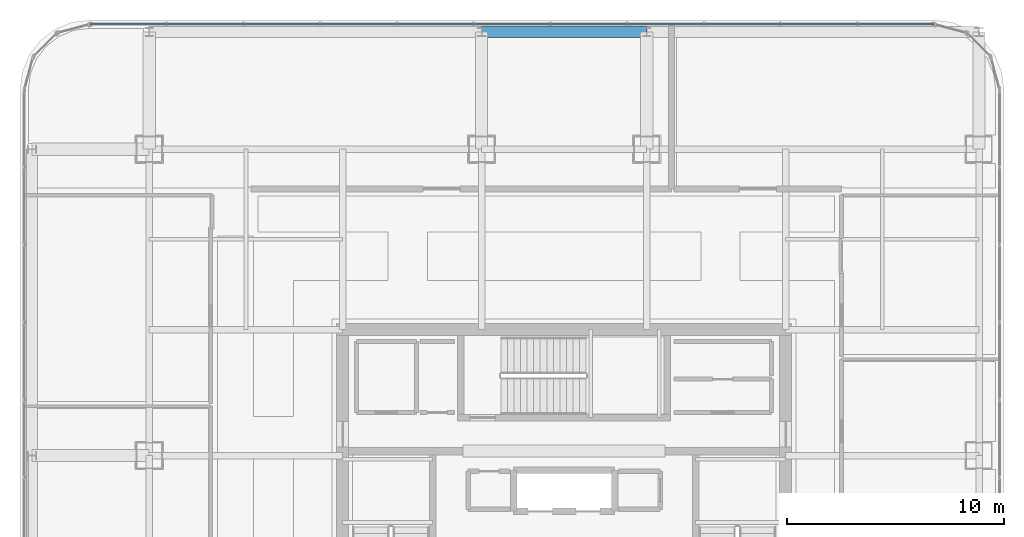
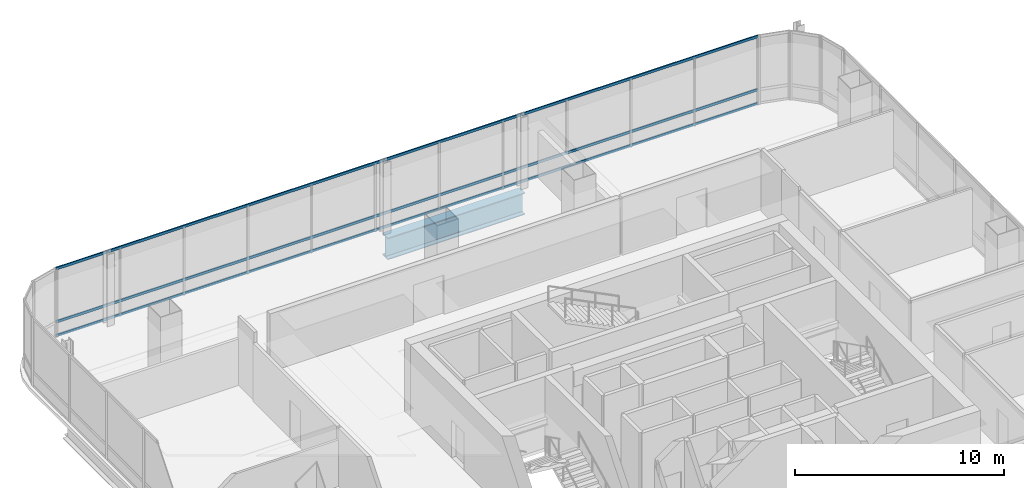
# One storey, part 26 of 42: 3 members, 1 beam, 1 element without a shape of its own.
"""IFC4 building model written with IfcOpenShell, lengths in metres."""

import ifcopenshell
import ifcopenshell.guid

model = None  # the IFC model being written
_history = None  # IfcOwnerHistory: only IFC2X3 demands one
_inside = {}  # id of a spatial element -> (the spatial element, [elements in it])
_under = {}  # id of a project, library or spatial element -> (it, [spatial elements below it])
_declared = {}  # id of a project -> (the project, [libraries it declares])
_typed = {}  # id of a type object -> (the type object, [elements of that type])
_made_of = {}  # id of a material, layer set ... -> (it, [elements and type objects made of it])


def new_model(schema):
    """Start an empty IFC model of exactly this schema.

    Asked for "IFC4X3", IfcOpenShell would pick the latest addendum, in which some entities
    have other attributes; the version numbers below select the first issue.
    IFC2X3 requires an IfcOwnerHistory on every rooted entity: one is made here for all.
    """
    global model, _history
    if schema == "IFC4X3":
        model = ifcopenshell.file(schema_version=(4, 3, 0, 0))
    else:
        model = ifcopenshell.file(schema=schema)
    _inside.clear()
    _under.clear()
    _declared.clear()
    _typed.clear()
    _made_of.clear()
    _history = None
    if model.schema == "IFC2X3":
        org = make("IfcOrganization", Name="unknown")
        user = make(
            "IfcPersonAndOrganization",
            ThePerson=make("IfcPerson", FamilyName="unknown"),
            TheOrganization=org,
        )
        app = make(
            "IfcApplication",
            ApplicationDeveloper=org,
            Version="unknown",
            ApplicationFullName="unknown",
            ApplicationIdentifier="unknown",
        )
        _history = make(
            "IfcOwnerHistory",
            OwningUser=user,
            OwningApplication=app,
            ChangeAction="ADDED",
            CreationDate=0,
        )
    return model


def make(cls, **values):
    """One entity of the class cls with the attributes given. An attribute that is None is left unset."""
    return model.create_entity(
        cls, **{name: value for name, value in values.items() if value is not None}
    )


def rooted(cls, **values):
    """An entity with a GlobalId (a new one), such as an element, a storey or a relation."""
    return make(cls, GlobalId=ifcopenshell.guid.new(), OwnerHistory=_history, **values)


def si_unit(unit_type, name, prefix=None):
    """IfcSIUnit, for example si_unit("LENGTHUNIT", "METRE", prefix="MILLI")."""
    return make("IfcSIUnit", UnitType=unit_type, Prefix=prefix, Name=name)


def assignment(units):
    """IfcUnitAssignment: the units of a project."""
    return None if units is None else make("IfcUnitAssignment", Units=units)


def point(xyz):
    """IfcCartesianPoint."""
    return None if xyz is None else make("IfcCartesianPoint", Coordinates=xyz)


def direction(xyz):
    """IfcDirection."""
    return None if xyz is None else make("IfcDirection", DirectionRatios=xyz)


def frame(location, z_axis=None, x_axis=None):
    """IfcAxis2Placement3D, a coordinate frame: its origin and axes. An axis left out is left unset."""
    return make(
        "IfcAxis2Placement3D",
        Location=point(location),
        Axis=direction(z_axis),
        RefDirection=direction(x_axis),
    )


def frame_2d(location, x_axis=None):
    """IfcAxis2Placement2D, a coordinate frame in the plane: its origin and x axis."""
    return make(
        "IfcAxis2Placement2D", Location=point(location), RefDirection=direction(x_axis)
    )


def origin():
    """The frame at (0, 0, 0) with its axes left unset."""
    return frame((0.0, 0.0, 0.0))


def origin_2d():
    """The frame at (0, 0) in the plane with its x axis left unset."""
    return frame_2d((0.0, 0.0))


def place(relative_to, where):
    """IfcLocalPlacement: puts the frame where relative to a parent placement (None: the world)."""
    return make(
        "IfcLocalPlacement", PlacementRelTo=relative_to, RelativePlacement=where
    )


def context(
    kind, dimensions, precision=None, world=None, true_north=None, identifier=None
):
    """IfcGeometricRepresentationContext, for example the 3D "Model" context."""
    return make(
        "IfcGeometricRepresentationContext",
        ContextIdentifier=identifier,
        ContextType=kind,
        CoordinateSpaceDimension=dimensions,
        Precision=precision,
        WorldCoordinateSystem=world,
        TrueNorth=true_north,
    )


def subcontext(parent, identifier, kind, view, scale=None):
    """IfcGeometricRepresentationSubContext, for example "Body" below "Model"."""
    return make(
        "IfcGeometricRepresentationSubContext",
        ContextIdentifier=identifier,
        ContextType=kind,
        ParentContext=parent,
        TargetScale=scale,
        TargetView=view,
    )


def project(units=None, contexts=None):
    """IfcProject with its units and contexts."""
    return rooted(
        "IfcProject",
        Name="project",
        RepresentationContexts=contexts,
        UnitsInContext=assignment(units),
    )


def spatial(cls, under=None, at=None, **own):
    """A site, building, storey or space (cls), placed at a placement, below another one or the project."""
    s = rooted(cls, ObjectPlacement=at, **own)
    if under is not None:
        _under.setdefault(under.id(), (under, []))[1].append(s)
    return s


def profile(cls, at=None, kind="AREA", **sizes):
    """A parametric profile (cls). Its sizes go by their IFC names, for example OverallWidth=200.0."""
    return make(cls, ProfileType=kind, Position=at, **sizes)


def hollow_rectangle(**sizes):
    """IfcRectangleHollowProfileDef."""
    return profile("IfcRectangleHollowProfileDef", **sizes)


def i_section(**sizes):
    """IfcIShapeProfileDef."""
    return profile("IfcIShapeProfileDef", **sizes)


def extrude(swept, where, along, depth):
    """IfcExtrudedAreaSolid: the profile swept, set in the frame where, extruded along a direction by depth."""
    return make(
        "IfcExtrudedAreaSolid",
        SweptArea=swept,
        Position=where,
        ExtrudedDirection=direction(along),
        Depth=depth,
    )


def shape(context_of_items, identifier, shape_type, items):
    """IfcShapeRepresentation: the items that make up one representation, for example the "Body"."""
    return make(
        "IfcShapeRepresentation",
        ContextOfItems=context_of_items,
        RepresentationIdentifier=identifier,
        RepresentationType=shape_type,
        Items=items,
    )


def material(Name=None, Category=None):
    """IfcMaterial."""
    return make("IfcMaterial", Name=Name, Category=Category)


def material_profile(
    of_material, cross_section, Name=None, Category=None, Priority=None
):
    """IfcMaterialProfile: a cross section and its material."""
    return make(
        "IfcMaterialProfile",
        Name=Name,
        Material=of_material,
        Profile=cross_section,
        Priority=Priority,
        Category=Category,
    )


def profile_set(profiles, Name=None, composite=None):
    """IfcMaterialProfileSet."""
    return make(
        "IfcMaterialProfileSet",
        Name=Name,
        MaterialProfiles=profiles,
        CompositeProfile=composite,
    )


def made_of(thing, what):
    """Note that an element or type object is made of a material, layer set ...; save() writes the relation."""
    if what is not None:
        _made_of.setdefault(what.id(), (what, []))[1].append(thing)
    return thing


def type_object(cls, material=None, **own):
    """A type object (cls), such as IfcWallType, which elements share."""
    return made_of(rooted(cls, **own), material)


def element(
    cls,
    number,
    at=None,
    inside=None,
    cuts=None,
    type_object=None,
    material=None,
    context=None,
    identifier="Body",
    shape_type=None,
    held_by="IfcProductDefinitionShape",
    body=None,
    shapes=None,
    **own,
):
    """One element of the class cls, such as IfcWall. Its Tag is "e" and its number.

    at: its placement. inside: the storey or other place that contains it. cuts: it is an
    opening in that element (IfcRelVoidsElement). A single representation is given by context,
    identifier, shape_type and body (its items); several are given by shapes. held_by: the class
    of the entity that holds the representations. save() writes the other relations.
    """
    e = rooted(cls, Tag="e%d" % number, ObjectPlacement=at, **own)
    if body is not None:
        shapes = [shape(context, identifier, shape_type, body)]
    if shapes is not None:
        e.Representation = make(held_by, Representations=shapes)
    if inside is not None:
        _inside.setdefault(inside.id(), (inside, []))[1].append(e)
    if cuts is not None:
        rooted(
            "IfcRelVoidsElement", RelatingBuildingElement=cuts, RelatedOpeningElement=e
        )
    if type_object is not None:
        _typed.setdefault(type_object.id(), (type_object, []))[1].append(e)
    return made_of(e, material)


def aggregate(whole, parts):
    """IfcRelAggregates: a whole, such as a stair, and the parts it consists of."""
    return rooted("IfcRelAggregates", RelatingObject=whole, RelatedObjects=parts)


def save(model, path):
    """Write the relations noted so far, then the file.

    IfcRelAggregates (storeys below a building ...), IfcRelContainedInSpatialStructure (elements
    in a storey), IfcRelDefinesByType, IfcRelAssociatesMaterial and IfcRelDeclares: one each for
    every whole, place, type object, material and project.
    """
    for whole, parts in _under.values():
        aggregate(whole, parts)
    for where, things in _inside.values():
        rooted(
            "IfcRelContainedInSpatialStructure",
            RelatedElements=things,
            RelatingStructure=where,
        )
    for kind, things in _typed.values():
        rooted("IfcRelDefinesByType", RelatedObjects=things, RelatingType=kind)
    for what, things in _made_of.values():
        rooted("IfcRelAssociatesMaterial", RelatedObjects=things, RelatingMaterial=what)
    for by, libraries in _declared.values():
        rooted("IfcRelDeclares", RelatingContext=by, RelatedDefinitions=libraries)
    model.write(path)


model = new_model("IFC4")

# Units and contexts
model_context = context("Model", 3, precision=1e-05, world=origin(), true_north=direction((0.0, 1.0)))
body_context = subcontext(model_context, "Body", "Model", "MODEL_VIEW")
ifc_project = project(units=[si_unit("LENGTHUNIT", "METRE"), si_unit("AREAUNIT", "SQUARE_METRE"), si_unit("VOLUMEUNIT", "CUBIC_METRE"), si_unit("PLANEANGLEUNIT", "RADIAN"), si_unit("MASSUNIT", "GRAM", prefix="KILO")], contexts=[model_context])

# Site, building, storey
site_placement = place(None, origin())
site = spatial("IfcSite", under=ifc_project, at=site_placement, CompositionType="ELEMENT")
building_placement = place(site_placement, origin())
building = spatial("IfcBuilding", under=site, at=building_placement, Name="Punatoya Terracotta Tower", CompositionType="ELEMENT")
storey_placement = place(building_placement, frame((0.0, 0.0, 304.800048828125)))
storey = spatial("IfcBuildingStorey", under=building, at=storey_placement, Name="L72", CompositionType="ELEMENT", Elevation=304.800048828125)

# Beam
ifc_material_1 = material(Name="Steel S460", Category="steel")
ifc_material_profile_1 = material_profile(ifc_material_1, i_section(OverallWidth=0.52001953125, OverallDepth=1.280029296875, WebThickness=0.031982421875, FlangeThickness=0.050048828125, FilletRadius=0.01806640625, at=origin_2d()))
ifc_profile_set_1 = profile_set([ifc_material_profile_1], Name="Steel S460")
beam_type = type_object("IfcBeamType", Name="BM-TG-NCK", PredefinedType="BEAM", material=ifc_profile_set_1)
beam_placement = place(storey_placement, frame((-3.800048828125, 22.89990234375, -0.840087890625), z_axis=(1.0, 0.0, 0.0), x_axis=(0.0, 1.0, 0.0)))
element("IfcBeam", 1, at=beam_placement, inside=storey, type_object=beam_type, Name="BM-L72-PER-N2", PredefinedType="BEAM", context=body_context, shape_type="SweptSolid", body=[
    extrude(i_section(OverallWidth=0.52001953125, OverallDepth=1.280029296875, WebThickness=0.031982421875, FlangeThickness=0.050048828125, FilletRadius=0.01806640625, at=origin_2d()), origin(), (0.0, 0.0, 1.0), 7.60009765625),
])

# Curtain wall, members
ifc_material_2 = material(Name="Aluminium 6063-T6 + Double Low-E Glass", Category="aluminium")
curtain_wall_type = type_object("IfcCurtainWallType", Name="CW-M3", PredefinedType="NOTDEFINED", material=ifc_material_2)
curtain_wall_placement = place(storey_placement, origin())
curtain_wall = element("IfcCurtainWall", 2, at=curtain_wall_placement, inside=storey, type_object=curtain_wall_type, Name="L72 Curtain Wall CW-L72-N09-1", PredefinedType="NOTDEFINED")
ifc_material_3 = material(Name="Aluminium 6063-T6", Category="aluminium")
ifc_material_profile_2 = material_profile(ifc_material_3, hollow_rectangle(XDim=0.068115234375, YDim=0.14990234375, WallThickness=0.00390625, at=origin_2d()))
ifc_profile_set_2 = profile_set([ifc_material_profile_2], Name="Aluminium 6063-T6")
member_type = type_object("IfcMemberType", Name="CW-TRN-TYP", PredefinedType="USERDEFINED", material=ifc_profile_set_2)
member_1_placement = place(storey_placement, frame((17.036865234375, 23.25, 0.0400390625), z_axis=(-1.0, 0.0, 0.0), x_axis=(0.0, -1.0, 0.0)))
member_1 = element("IfcMember", 3, at=member_1_placement, type_object=member_type, Name="CW-L72-N09-1 Transom 1", ObjectType="TRANSOM", PredefinedType="USERDEFINED", context=body_context, shape_type="SweptSolid", body=[
    extrude(hollow_rectangle(XDim=0.068115234375, YDim=0.14990234375, WallThickness=0.00390625, at=origin_2d()), origin(), (0.0, 0.0, 1.0), 38.873779296875),
])
member_2_placement = place(storey_placement, frame((17.036865234375, 23.25, 0.849853515625), z_axis=(-1.0, 0.0, 0.0), x_axis=(0.0, -1.0, 0.0)))
member_2 = element("IfcMember", 4, at=member_2_placement, type_object=member_type, Name="CW-L72-N09-1 Transom 2", ObjectType="TRANSOM", PredefinedType="USERDEFINED", context=body_context, shape_type="SweptSolid", body=[
    extrude(hollow_rectangle(XDim=0.068115234375, YDim=0.14990234375, WallThickness=0.00390625, at=origin_2d()), origin(), (0.0, 0.0, 1.0), 38.873779296875),
])
member_3_placement = place(storey_placement, frame((17.036865234375, 23.25, 3.9599609375), z_axis=(-1.0, 0.0, 0.0), x_axis=(0.0, -1.0, 0.0)))
member_3 = element("IfcMember", 5, at=member_3_placement, type_object=member_type, Name="CW-L72-N09-1 Transom 3", ObjectType="TRANSOM", PredefinedType="USERDEFINED", context=body_context, shape_type="SweptSolid", body=[
    extrude(hollow_rectangle(XDim=0.068115234375, YDim=0.14990234375, WallThickness=0.00390625, at=origin_2d()), origin(), (0.0, 0.0, 1.0), 38.873779296875),
])
aggregate(curtain_wall, [member_1, member_2, member_3])

save(model, "model.ifc")
